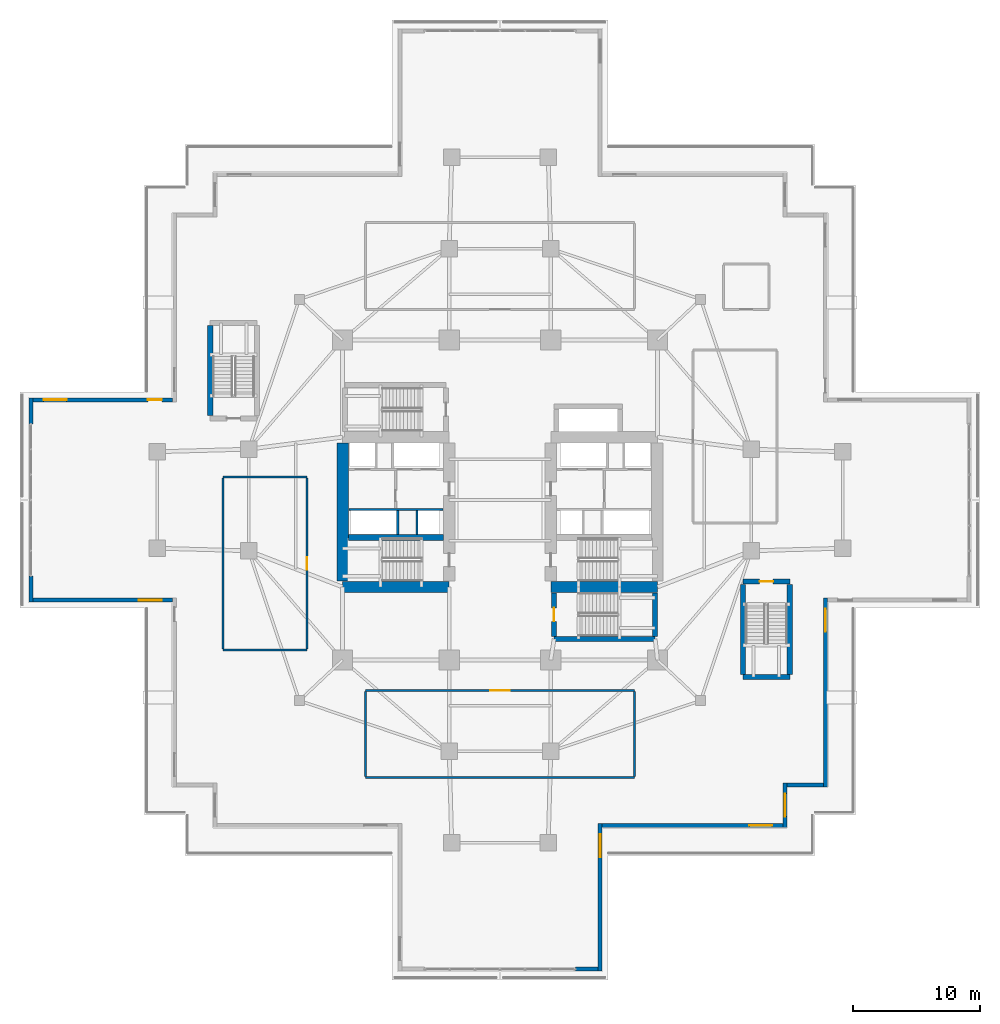
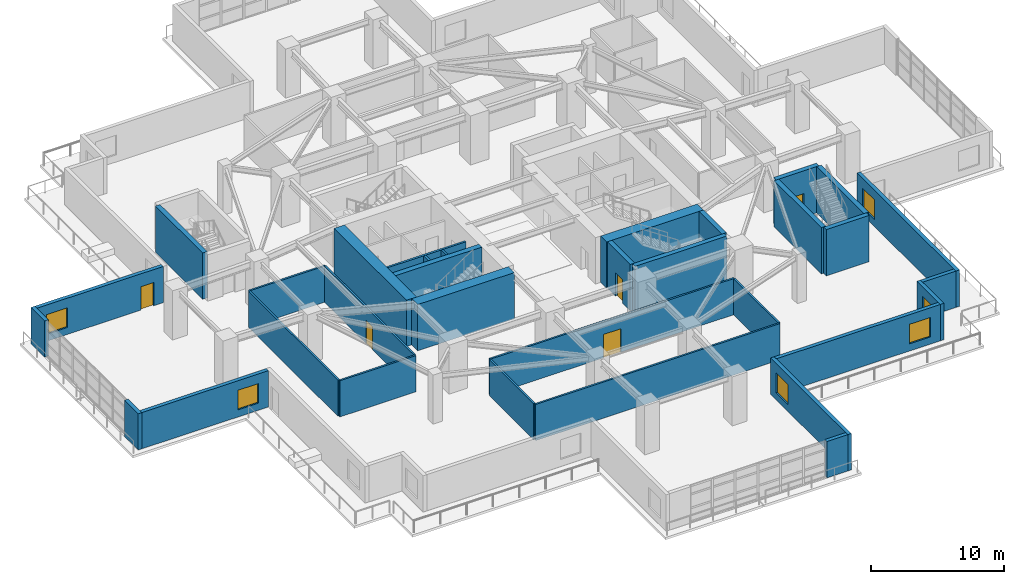
# One storey, part 15 of 24: 33 walls, 6 windows, 5 doors, 11 openings.
"""IFC4 building model written with IfcOpenShell, lengths in metres."""

from ifc_helpers import new_model, si_unit, direction, frame, frame_2d, origin, place, context, subcontext, project, spatial, rectangle, extrude, material, layer, layer_set, type_object, element, fill, save


model = new_model("IFC4")

# Units and contexts
model_context = context("Model", 3, precision=1e-05, world=origin(), true_north=direction((0.0, 1.0)))
body_context = subcontext(model_context, "Body", "Model", "MODEL_VIEW")
ifc_project = project(units=[si_unit("LENGTHUNIT", "METRE"), si_unit("AREAUNIT", "SQUARE_METRE"), si_unit("VOLUMEUNIT", "CUBIC_METRE"), si_unit("PLANEANGLEUNIT", "RADIAN"), si_unit("MASSUNIT", "GRAM", prefix="KILO")], contexts=[model_context])

# Site, building, storey
site_placement = place(None, origin())
site = spatial("IfcSite", under=ifc_project, at=site_placement, CompositionType="ELEMENT")
building_placement = place(site_placement, origin())
building = spatial("IfcBuilding", under=site, at=building_placement, Name="Qingluan Cross Belvedere", CompositionType="ELEMENT")
storey_placement = place(building_placement, frame((0.0, 0.0, 14.699951171875)))
storey = spatial("IfcBuildingStorey", under=building, at=storey_placement, Name="L04", CompositionType="ELEMENT", Elevation=14.699951171875)

# Walls
ifc_material_1 = material(Name="Concrete C50", Category="concrete")
ifc_layer_1 = layer(ifc_material_1, 0.449951171875, Name="CoreShearWall_450")
ifc_layer_set_1 = layer_set([ifc_layer_1], Name="Concrete C50")
wall_type_1 = type_object("IfcWallType", Name="CoreShearWall_450", PredefinedType="SHEAR", material=ifc_layer_set_1)
wall_1_placement = place(storey_placement, frame((-11.945068359375, -2.9599609375, 0.0), z_axis=(0.0, 0.0, 1.0), x_axis=(1.0, 0.0, 0.0)))
element("IfcWall", 1, at=wall_1_placement, inside=storey, type_object=wall_type_1, Name="Split core W shear wall L04-M", PredefinedType="SHEAR", context=body_context, shape_type="SweptSolid", body=[
    extrude(rectangle(XDim=7.489990234375, YDim=0.449951171875, at=frame_2d((3.7451171875, 0.0))), origin(), (0.0, 0.0, 1.0), 4.25),
])
wall_2_placement = place(storey_placement, frame((4.260009765625, -10.93994140625, 0.0), z_axis=(0.0, 0.0, 1.0), x_axis=(1.0, 0.0, 0.0)))
element("IfcWall", 2, at=wall_2_placement, inside=storey, type_object=wall_type_1, Name="Stair ST4 structural wall S L04", PredefinedType="SHEAR", context=body_context, shape_type="SweptSolid", body=[
    extrude(rectangle(XDim=7.9599609375, YDim=0.39990234375, at=frame_2d((3.97998046875, 0.0))), origin(), (0.0, 0.0, 1.0), 4.25),
])

# Wall, opening, door
wall_3_placement = place(storey_placement, frame((4.260009765625, -10.735107421875, 0.0), z_axis=(0.0, 0.0, 1.0), x_axis=(0.0, 1.0, 0.0)))
wall_3 = element("IfcWall", 3, at=wall_3_placement, inside=storey, type_object=wall_type_1, Name="Stair ST4 structural wall W L04", PredefinedType="SHEAR", context=body_context, shape_type="SweptSolid", body=[
    extrude(rectangle(XDim=3.43017578125, YDim=0.39990234375, at=frame_2d((1.715087890625, 0.0))), origin(), (0.0, 0.0, 1.0), 4.25),
])
opening_1_placement = place(wall_3_placement, frame((1.18505859375, 0.0, 0.0)))
opening_1 = element("IfcOpeningElement", 4, at=opening_1_placement, cuts=wall_3, Name="Opening FD-B11", PredefinedType="OPENING", context=body_context, shape_type="SweptSolid", body=[
    extrude(rectangle(XDim=1.050048828125, YDim=2.14990234375, at=frame_2d((0.52490234375, 1.074951171875))), frame((0.0, 0.2099609375, 0.0), z_axis=(0.0, -1.0, 0.0), x_axis=(1.0, 0.0, 0.0)), (0.0, 0.0, 1.0), 0.419921875),
])
ifc_material_2 = material(Name="Steel Class B smoke-seal fire door", Category="steel")
door_type_1 = type_object("IfcDoorType", Name="StairLobbyFireDoor_FDB", OperationType="NOTDEFINED", PredefinedType="DOOR", material=ifc_material_2)
door_1_placement = place(opening_1_placement, origin())
door_1 = element("IfcDoor", 5, at=door_1_placement, inside=storey, type_object=door_type_1, Name="Smoke-proof stair ST4 fire door L04", OperationType="SINGLE_SWING_LEFT", OverallHeight=2.14990234375, OverallWidth=1.050048828125, PredefinedType="DOOR", context=body_context, shape_type="SweptSolid", body=[
    extrude(rectangle(XDim=1.050048828125, YDim=2.14990234375, at=frame_2d((0.52490234375, 1.074951171875))), frame((0.0, 0.02490234375, 0.0), z_axis=(0.0, -1.0, 0.0), x_axis=(1.0, 0.0, 0.0)), (0.0, 0.0, 1.0), 0.050048828125),
])
fill(opening_1, door_1)

# Walls
wall_4_placement = place(storey_placement, frame((12.219970703125, -10.735107421875, 0.0), z_axis=(0.0, 0.0, 1.0), x_axis=(0.0, 1.0, 0.0)))
element("IfcWall", 6, at=wall_4_placement, inside=storey, type_object=wall_type_1, Name="Stair ST4 structural wall E L04", PredefinedType="SHEAR", context=body_context, shape_type="SweptSolid", body=[
    extrude(rectangle(XDim=3.43017578125, YDim=0.39990234375, at=frame_2d((1.715087890625, 0.0))), origin(), (0.0, 0.0, 1.0), 4.25),
])
wall_5_placement = place(storey_placement, frame((-22.820068359375, 6.635009765625, 0.0), z_axis=(0.0, 0.0, 1.0), x_axis=(0.0, 1.0, 0.0)))
element("IfcWall", 7, at=wall_5_placement, inside=storey, type_object=wall_type_1, Name="Stair ST5 structural wall W L04", PredefinedType="SHEAR", context=body_context, shape_type="SweptSolid", body=[
    extrude(rectangle(XDim=7.110107421875, YDim=0.39990234375, at=frame_2d((3.55517578125, 0.0))), origin(), (0.0, 0.0, 1.0), 4.25),
])

# Wall, opening, door
wall_6_placement = place(storey_placement, frame((19.1201171875, -6.429931640625, 0.0), z_axis=(0.0, 0.0, 1.0), x_axis=(1.0, 0.0, 0.0)))
wall_6 = element("IfcWall", 8, at=wall_6_placement, inside=storey, type_object=wall_type_1, Name="Stair ST6 structural wall N L04", PredefinedType="SHEAR", context=body_context, shape_type="SweptSolid", body=[
    extrude(rectangle(XDim=3.699951171875, YDim=0.39990234375, at=frame_2d((1.85009765625, 0.0))), origin(), (0.0, 0.0, 1.0), 4.25),
])
opening_2_placement = place(wall_6_placement, frame((1.330078125, 0.0, 0.0)))
opening_2 = element("IfcOpeningElement", 9, at=opening_2_placement, cuts=wall_6, Name="Opening FD-B11", PredefinedType="OPENING", context=body_context, shape_type="SweptSolid", body=[
    extrude(rectangle(XDim=1.050048828125, YDim=2.14990234375, at=frame_2d((0.52490234375, 1.074951171875))), frame((0.0, 0.2099609375, 0.0), z_axis=(0.0, -1.0, 0.0), x_axis=(1.0, 0.0, 0.0)), (0.0, 0.0, 1.0), 0.419921875),
])
door_2_placement = place(opening_2_placement, origin())
door_2 = element("IfcDoor", 10, at=door_2_placement, inside=storey, type_object=door_type_1, Name="Podium stair ST6 smoke-proof fire door L04", OperationType="SINGLE_SWING_LEFT", OverallHeight=2.14990234375, OverallWidth=1.050048828125, PredefinedType="DOOR", context=body_context, shape_type="SweptSolid", body=[
    extrude(rectangle(XDim=1.050048828125, YDim=2.14990234375, at=frame_2d((0.52490234375, 1.074951171875))), frame((0.0, 0.02490234375, 0.0), z_axis=(0.0, -1.0, 0.0), x_axis=(1.0, 0.0, 0.0)), (0.0, 0.0, 1.0), 0.050048828125),
])
fill(opening_2, door_2)

# Walls
wall_7_placement = place(storey_placement, frame((19.1201171875, -13.949951171875, 0.0), z_axis=(0.0, 0.0, 1.0), x_axis=(1.0, 0.0, 0.0)))
element("IfcWall", 11, at=wall_7_placement, inside=storey, type_object=wall_type_1, Name="Stair ST6 structural wall S L04", PredefinedType="SHEAR", context=body_context, shape_type="SweptSolid", body=[
    extrude(rectangle(XDim=3.699951171875, YDim=0.39990234375, at=frame_2d((1.85009765625, 0.0))), origin(), (0.0, 0.0, 1.0), 4.25),
])
for number, where, z_axis, x_axis, name in (
    (12, (19.1201171875, -13.7451171875, 0.0), (0.0, 0.0, 1.0), (0.0, 1.0, 0.0), "Stair ST6 structural wall W L04"),
    (13, (22.820068359375, -13.7451171875, 0.0), (0.0, 0.0, 1.0), (0.0, 1.0, 0.0), "Stair ST6 structural wall E L04"),
):
    element("IfcWall", number, at=place(storey_placement, frame(where, z_axis=z_axis, x_axis=x_axis)), inside=storey, type_object=wall_type_1, Name=name, PredefinedType="SHEAR", context=body_context, shape_type="SweptSolid", body=[
        extrude(rectangle(XDim=7.110107421875, YDim=0.39990234375, at=frame_2d((3.55517578125, 0.0))), origin(), (0.0, 0.0, 1.0), 4.25),
    ])
ifc_material_3 = material(Name="Concrete C70", Category="concrete")
ifc_layer_2 = layer(ifc_material_3, 0.89990234375, Name="CoreShearWall_900")
ifc_layer_set_2 = layer_set([ifc_layer_2], Name="Concrete C70")
wall_type_2 = type_object("IfcWallType", Name="CoreShearWall_900", PredefinedType="SHEAR", material=ifc_layer_set_2)
wall_8_placement = place(storey_placement, frame((-12.39990234375, -6.85009765625, 0.0), z_axis=(0.0, 0.0, 1.0), x_axis=(1.0, 0.0, 0.0)))
element("IfcWall", 14, at=wall_8_placement, inside=storey, type_object=wall_type_2, Name="Split core W shear wall L04-S", PredefinedType="SHEAR", context=body_context, shape_type="SweptSolid", body=[
    extrude(rectangle(XDim=8.39990234375, YDim=0.89990234375, at=frame_2d((4.199951171875, 0.0))), origin(), (0.0, 0.0, 1.0), 4.25),
])
wall_9_placement = place(storey_placement, frame((-12.39990234375, -6.39501953125, 0.0), z_axis=(0.0, 0.0, 1.0), x_axis=(0.0, 1.0, 0.0)))
element("IfcWall", 15, at=wall_9_placement, inside=storey, type_object=wall_type_2, Name="Split core W shear wall L04-W", PredefinedType="SHEAR", context=body_context, shape_type="SweptSolid", body=[
    extrude(rectangle(XDim=10.89013671875, YDim=0.89990234375, at=frame_2d((5.445068359375, 0.0))), origin(), (0.0, 0.0, 1.0), 4.25),
])
wall_10_placement = place(storey_placement, frame((4.0, -6.85009765625, 0.0), z_axis=(0.0, 0.0, 1.0), x_axis=(1.0, 0.0, 0.0)))
element("IfcWall", 16, at=wall_10_placement, inside=storey, type_object=wall_type_2, Name="Split core E shear wall L04-S", PredefinedType="SHEAR", context=body_context, shape_type="SweptSolid", body=[
    extrude(rectangle(XDim=8.39990234375, YDim=0.89990234375, at=frame_2d((4.199951171875, 0.0))), origin(), (0.0, 0.0, 1.0), 4.25),
])
ifc_material_4 = material(Name="Gypsum plasterboard on steel stud acoustic partition", Category="steel")
ifc_layer_3 = layer(ifc_material_4, 0.159912109375, Name="CorridorPartition_160")
ifc_layer_set_3 = layer_set([ifc_layer_3], Name="Gypsum plasterboard on steel stud acoustic partition")
wall_type_3 = type_object("IfcWallType", Name="CorridorPartition_160", PredefinedType="PARTITIONING", material=ifc_layer_set_3)
wall_11_placement = place(storey_placement, frame((-10.60009765625, -21.85009765625, 0.0), z_axis=(0.0, 0.0, 1.0), x_axis=(1.0, 0.0, 0.0)))
element("IfcWall", 17, at=wall_11_placement, inside=storey, type_object=wall_type_3, Name="Partition L04:pod_s:S", PredefinedType="PARTITIONING", context=body_context, shape_type="SweptSolid", body=[
    extrude(rectangle(XDim=21.2001953125, YDim=0.159912109375, at=frame_2d((10.60009765625, 0.0))), origin(), (0.0, 0.0, 1.0), 3.320068359375),
])

# Wall, opening, door
wall_12_placement = place(storey_placement, frame((-10.60009765625, -15.0, 0.0), z_axis=(0.0, 0.0, 1.0), x_axis=(1.0, 0.0, 0.0)))
wall_12 = element("IfcWall", 18, at=wall_12_placement, inside=storey, type_object=wall_type_3, Name="Partition L04:pod_s:N", PredefinedType="PARTITIONING", context=body_context, shape_type="SweptSolid", body=[
    extrude(rectangle(XDim=21.2001953125, YDim=0.159912109375, at=frame_2d((10.60009765625, 0.0))), origin(), (0.0, 0.0, 1.0), 3.320068359375),
])
opening_3_placement = place(wall_12_placement, frame((9.85009765625, 0.0, 0.0)))
opening_3 = element("IfcOpeningElement", 19, at=opening_3_placement, cuts=wall_12, Name="Opening FD-A15", PredefinedType="OPENING", context=body_context, shape_type="SweptSolid", body=[
    extrude(rectangle(XDim=1.5, YDim=2.14990234375, at=frame_2d((0.75, 1.074951171875))), frame((0.0, 0.08984375, 0.0), z_axis=(0.0, -1.0, 0.0), x_axis=(1.0, 0.0, 0.0)), (0.0, 0.0, 1.0), 0.179931640625),
])
ifc_material_5 = material(Name="Insulated steel Class A double fire door", Category="steel")
door_type_2 = type_object("IfcDoorType", Name="PlantDoubleFireDoor_FDA", OperationType="DOUBLE_DOOR_SINGLE_SWING", PredefinedType="DOOR", material=ifc_material_5)
door_3_placement = place(opening_3_placement, origin())
door_3 = element("IfcDoor", 20, at=door_3_placement, inside=storey, type_object=door_type_2, Name="Tea garden lounge South L04 door", OperationType="DOUBLE_DOOR_SINGLE_SWING", OverallHeight=2.14990234375, OverallWidth=1.5, PredefinedType="DOOR", context=body_context, shape_type="SweptSolid", body=[
    extrude(rectangle(XDim=1.5, YDim=2.14990234375, at=frame_2d((0.75, 1.074951171875))), frame((0.0, 0.02490234375, 0.0), z_axis=(0.0, -1.0, 0.0), x_axis=(1.0, 0.0, 0.0)), (0.0, 0.0, 1.0), 0.050048828125),
])
fill(opening_3, door_3)

# Walls
for number, where, z_axis, x_axis, name in (
    (21, (-10.60009765625, -21.764892578125, 0.0), (0.0, 0.0, 1.0), (0.0, 1.0, 0.0), "Partition L04:pod_s:W"),
    (22, (10.60009765625, -21.764892578125, 0.0), (0.0, 0.0, 1.0), (0.0, 1.0, 0.0), "Partition L04:pod_s:E"),
):
    element("IfcWall", number, at=place(storey_placement, frame(where, z_axis=z_axis, x_axis=x_axis)), inside=storey, type_object=wall_type_3, Name=name, PredefinedType="PARTITIONING", context=body_context, shape_type="SweptSolid", body=[
        extrude(rectangle(XDim=6.679931640625, YDim=0.159912109375, at=frame_2d((3.33984375, 0.0))), origin(), (0.0, 0.0, 1.0), 3.320068359375),
    ])
for number, where, z_axis, x_axis, name in (
    (23, (-21.800048828125, -11.800048828125, 0.0), (0.0, 0.0, 1.0), (1.0, 0.0, 0.0), "Partition L04:pod_w:S"),
    (24, (-21.800048828125, 1.800048828125, 0.0), (0.0, 0.0, 1.0), (1.0, 0.0, 0.0), "Partition L04:pod_w:N"),
):
    element("IfcWall", number, at=place(storey_placement, frame(where, z_axis=z_axis, x_axis=x_axis)), inside=storey, type_object=wall_type_3, Name=name, PredefinedType="PARTITIONING", context=body_context, shape_type="SweptSolid", body=[
        extrude(rectangle(XDim=6.60009765625, YDim=0.159912109375, at=frame_2d((3.300048828125, 0.0))), origin(), (0.0, 0.0, 1.0), 3.320068359375),
    ])
wall_13_placement = place(storey_placement, frame((-21.800048828125, -11.715087890625, 0.0), z_axis=(0.0, 0.0, 1.0), x_axis=(0.0, 1.0, 0.0)))
element("IfcWall", 25, at=wall_13_placement, inside=storey, type_object=wall_type_3, Name="Partition L04:pod_w:W", PredefinedType="PARTITIONING", context=body_context, shape_type="SweptSolid", body=[
    extrude(rectangle(XDim=13.43017578125, YDim=0.159912109375, at=frame_2d((6.715087890625, 0.0))), origin(), (0.0, 0.0, 1.0), 3.320068359375),
])

# Wall, opening, door
wall_14_placement = place(storey_placement, frame((-15.199951171875, -11.715087890625, 0.0), z_axis=(0.0, 0.0, 1.0), x_axis=(0.0, 1.0, 0.0)))
wall_14 = element("IfcWall", 26, at=wall_14_placement, inside=storey, type_object=wall_type_3, Name="Partition L04:pod_w:E", PredefinedType="PARTITIONING", context=body_context, shape_type="SweptSolid", body=[
    extrude(rectangle(XDim=13.43017578125, YDim=0.159912109375, at=frame_2d((6.715087890625, 0.0))), origin(), (0.0, 0.0, 1.0), 3.320068359375),
])
opening_4_placement = place(wall_14_placement, frame((6.235107421875, 0.0, 0.0)))
opening_4 = element("IfcOpeningElement", 27, at=opening_4_placement, cuts=wall_14, Name="Opening GD-10", PredefinedType="OPENING", context=body_context, shape_type="SweptSolid", body=[
    extrude(rectangle(XDim=0.9599609375, YDim=2.14990234375, at=frame_2d((0.47998046875, 1.074951171875))), frame((0.0, 0.08984375, 0.0), z_axis=(0.0, -1.0, 0.0), x_axis=(1.0, 0.0, 0.0)), (0.0, 0.0, 1.0), 0.179931640625),
])
ifc_material_6 = material(Name="Timber oak fire-rated acoustic guestroom door", Category="wood")
door_type_3 = type_object("IfcDoorType", Name="GuestEntryDoor_FD60", OperationType="NOTDEFINED", PredefinedType="DOOR", material=ifc_material_6)
door_4_placement = place(opening_4_placement, origin())
door_4 = element("IfcDoor", 28, at=door_4_placement, inside=storey, type_object=door_type_3, Name="Restaurant production kitchen West L04 door", OperationType="SINGLE_SWING_LEFT", OverallHeight=2.14990234375, OverallWidth=0.9599609375, PredefinedType="DOOR", context=body_context, shape_type="SweptSolid", body=[
    extrude(rectangle(XDim=0.9599609375, YDim=2.14990234375, at=frame_2d((0.47998046875, 1.074951171875))), frame((0.0, 0.02490234375, 0.0), z_axis=(0.0, -1.0, 0.0), x_axis=(1.0, 0.0, 0.0)), (0.0, 0.0, 1.0), 0.050048828125),
])
fill(opening_4, door_4)

# Wall, opening, window
ifc_material_7 = material(Name="Precast concrete C45", Category="concrete")
ifc_layer_4 = layer(ifc_material_7, 0.320068359375, Name="PrecastPodiumWall_320")
ifc_layer_set_4 = layer_set([ifc_layer_4], Name="Precast concrete C45")
wall_type_4 = type_object("IfcWallType", Name="PrecastPodiumWall_320", PredefinedType="STANDARD", material=ifc_layer_set_4)
wall_15_placement = place(storey_placement, frame((22.280029296875, -25.639892578125, 0.0), z_axis=(0.0, 0.0, 1.0), x_axis=(-1.0, 0.0, 0.0)))
wall_15 = element("IfcWall", 29, at=wall_15_placement, inside=storey, type_object=wall_type_4, Name="Podium precast facade wall L04-S1", PredefinedType="STANDARD", context=body_context, shape_type="SweptSolid", body=[
    extrude(rectangle(XDim=14.22998046875, YDim=0.320068359375, at=frame_2d((7.114990234375, 0.0))), origin(), (0.0, 0.0, 1.0), 3.330078125),
])
opening_5_placement = place(wall_15_placement, frame((0.85009765625, 0.0, 0.64990234375)))
opening_5 = element("IfcOpeningElement", 30, at=opening_5_placement, cuts=wall_15, Name="Opening W-06", PredefinedType="OPENING", context=body_context, shape_type="SweptSolid", body=[
    extrude(rectangle(XDim=1.800048828125, YDim=1.800048828125, at=frame_2d((0.89990234375, 0.89990234375))), frame((0.0, 0.169921875, 0.0), z_axis=(0.0, -1.0, 0.0), x_axis=(1.0, 0.0, 0.0)), (0.0, 0.0, 1.0), 0.340087890625),
])
ifc_material_8 = material(Name="Thermally broken triple Low-E glass in aluminium frame", Category="aluminium")
window_type = type_object("IfcWindowType", Name="PodiumGalleryWin_1800x1800", PartitioningType="SINGLE_PANEL", PredefinedType="WINDOW", material=ifc_material_8)
window_1_placement = place(opening_5_placement, origin())
window_1 = element("IfcWindow", 31, at=window_1_placement, inside=storey, type_object=window_type, Name="Podium gallery window L04-S1", OverallHeight=1.800048828125, OverallWidth=1.800048828125, PartitioningType="SINGLE_PANEL", PredefinedType="WINDOW", context=body_context, shape_type="SweptSolid", body=[
    extrude(rectangle(XDim=1.800048828125, YDim=1.800048828125, at=frame_2d((0.89990234375, 0.89990234375))), frame((0.0, 0.030029296875, 0.0), z_axis=(0.0, -1.0, 0.0), x_axis=(1.0, 0.0, 0.0)), (0.0, 0.0, 1.0), 0.06005859375),
])
fill(opening_5, window_1)

wall_16_placement = place(storey_placement, frame((7.889892578125, -25.47998046875, 0.0), z_axis=(0.0, 0.0, 1.0), x_axis=(0.0, -1.0, 0.0)))
wall_16 = element("IfcWall", 32, at=wall_16_placement, inside=storey, type_object=wall_type_4, Name="Podium precast facade wall L04-S2", PredefinedType="STANDARD", context=body_context, shape_type="SweptSolid", body=[
    extrude(rectangle(XDim=11.6201171875, YDim=0.320068359375, at=frame_2d((5.81005859375, 0.0))), origin(), (0.0, 0.0, 1.0), 3.330078125),
])
opening_6_placement = place(wall_16_placement, frame((0.85009765625, 0.0, 0.64990234375)))
opening_6 = element("IfcOpeningElement", 33, at=opening_6_placement, cuts=wall_16, Name="Opening W-06", PredefinedType="OPENING", context=body_context, shape_type="SweptSolid", body=[
    extrude(rectangle(XDim=1.800048828125, YDim=1.800048828125, at=frame_2d((0.89990234375, 0.89990234375))), frame((0.0, 0.169921875, 0.0), z_axis=(0.0, -1.0, 0.0), x_axis=(1.0, 0.0, 0.0)), (0.0, 0.0, 1.0), 0.340087890625),
])
window_2_placement = place(opening_6_placement, origin())
window_2 = element("IfcWindow", 34, at=window_2_placement, inside=storey, type_object=window_type, Name="Podium gallery window L04-S2", OverallHeight=1.800048828125, OverallWidth=1.800048828125, PartitioningType="SINGLE_PANEL", PredefinedType="WINDOW", context=body_context, shape_type="SweptSolid", body=[
    extrude(rectangle(XDim=1.800048828125, YDim=1.800048828125, at=frame_2d((0.89990234375, 0.89990234375))), frame((0.0, 0.030029296875, 0.0), z_axis=(0.0, -1.0, 0.0), x_axis=(1.0, 0.0, 0.0)), (0.0, 0.0, 1.0), 0.06005859375),
])
fill(opening_6, window_2)

# Wall
wall_17_placement = place(storey_placement, frame((7.72998046875, -36.93994140625, 0.0), z_axis=(0.0, 0.0, 1.0), x_axis=(-1.0, 0.0, 0.0)))
element("IfcWall", 35, at=wall_17_placement, inside=storey, type_object=wall_type_4, Name="Podium portal pier L04-P1JA", PredefinedType="STANDARD", context=body_context, shape_type="SweptSolid", body=[
    extrude(rectangle(XDim=1.800048828125, YDim=0.320068359375, at=frame_2d((0.89990234375, 0.0))), origin(), (0.0, 0.0, 1.0), 3.330078125),
])

# Wall, opening, window
wall_18_placement = place(storey_placement, frame((-25.800048828125, -7.889892578125, 0.0), z_axis=(0.0, 0.0, 1.0), x_axis=(-1.0, 0.0, 0.0)))
wall_18 = element("IfcWall", 36, at=wall_18_placement, inside=storey, type_object=wall_type_4, Name="Podium precast facade wall L04-S10", PredefinedType="STANDARD", context=body_context, shape_type="SweptSolid", body=[
    extrude(rectangle(XDim=10.97998046875, YDim=0.320068359375, at=frame_2d((5.489990234375, 0.0))), origin(), (0.0, 0.0, 1.0), 3.330078125),
])
opening_7_placement = place(wall_18_placement, frame((0.85009765625, 0.0, 0.64990234375)))
opening_7 = element("IfcOpeningElement", 37, at=opening_7_placement, cuts=wall_18, Name="Opening W-06", PredefinedType="OPENING", context=body_context, shape_type="SweptSolid", body=[
    extrude(rectangle(XDim=1.800048828125, YDim=1.800048828125, at=frame_2d((0.89990234375, 0.89990234375))), frame((0.0, 0.169921875, 0.0), z_axis=(0.0, -1.0, 0.0), x_axis=(1.0, 0.0, 0.0)), (0.0, 0.0, 1.0), 0.340087890625),
])
window_3_placement = place(opening_7_placement, origin())
window_3 = element("IfcWindow", 38, at=window_3_placement, inside=storey, type_object=window_type, Name="Podium gallery window L04-S10", OverallHeight=1.800048828125, OverallWidth=1.800048828125, PartitioningType="SINGLE_PANEL", PredefinedType="WINDOW", context=body_context, shape_type="SweptSolid", body=[
    extrude(rectangle(XDim=1.800048828125, YDim=1.800048828125, at=frame_2d((0.89990234375, 0.89990234375))), frame((0.0, 0.030029296875, 0.0), z_axis=(0.0, -1.0, 0.0), x_axis=(1.0, 0.0, 0.0)), (0.0, 0.0, 1.0), 0.06005859375),
])
fill(opening_7, window_3)

# Walls
for number, where, z_axis, x_axis, name in (
    (39, (-36.93994140625, -8.050048828125, 0.0), (0.0, 0.0, 1.0), (0.0, 1.0, 0.0), "Podium portal pier L04-P2JA"),
    (40, (-36.93994140625, 6.0, 0.0), (0.0, 0.0, 1.0), (0.0, 1.0, 0.0), "Podium portal pier L04-P2JB"),
):
    element("IfcWall", number, at=place(storey_placement, frame(where, z_axis=z_axis, x_axis=x_axis)), inside=storey, type_object=wall_type_4, Name=name, PredefinedType="STANDARD", context=body_context, shape_type="SweptSolid", body=[
        extrude(rectangle(XDim=2.050048828125, YDim=0.320068359375, at=frame_2d((1.02490234375, 0.0))), origin(), (0.0, 0.0, 1.0), 3.330078125),
    ])

# Wall, openings, window, door
wall_19_placement = place(storey_placement, frame((-36.780029296875, 7.889892578125, 0.0), z_axis=(0.0, 0.0, 1.0), x_axis=(1.0, 0.0, 0.0)))
wall_19 = element("IfcWall", 41, at=wall_19_placement, inside=storey, type_object=wall_type_4, Name="Podium precast facade wall L04-S13", PredefinedType="STANDARD", context=body_context, shape_type="SweptSolid", body=[
    extrude(rectangle(XDim=10.97998046875, YDim=0.320068359375, at=frame_2d((5.489990234375, 0.0))), origin(), (0.0, 0.0, 1.0), 3.330078125),
])
opening_8_placement = place(wall_19_placement, frame((0.85009765625, 0.0, 0.64990234375)))
opening_8 = element("IfcOpeningElement", 42, at=opening_8_placement, cuts=wall_19, Name="Opening W-06", PredefinedType="OPENING", context=body_context, shape_type="SweptSolid", body=[
    extrude(rectangle(XDim=1.800048828125, YDim=1.800048828125, at=frame_2d((0.89990234375, 0.89990234375))), frame((0.0, 0.169921875, 0.0), z_axis=(0.0, -1.0, 0.0), x_axis=(1.0, 0.0, 0.0)), (0.0, 0.0, 1.0), 0.340087890625),
])
opening_9_placement = place(wall_19_placement, frame((9.050048828125, 0.0, 0.0)))
opening_9 = element("IfcOpeningElement", 43, at=opening_9_placement, cuts=wall_19, Name="Opening TD-11", PredefinedType="OPENING", context=body_context, shape_type="SweptSolid", body=[
    extrude(rectangle(XDim=1.10009765625, YDim=2.14990234375, at=frame_2d((0.550048828125, 1.074951171875))), frame((0.0, 0.169921875, 0.0), z_axis=(0.0, -1.0, 0.0), x_axis=(1.0, 0.0, 0.0)), (0.0, 0.0, 1.0), 0.340087890625),
])
window_4_placement = place(opening_8_placement, origin())
window_4 = element("IfcWindow", 44, at=window_4_placement, inside=storey, type_object=window_type, Name="Podium gallery window L04-S13", OverallHeight=1.800048828125, OverallWidth=1.800048828125, PartitioningType="SINGLE_PANEL", PredefinedType="WINDOW", context=body_context, shape_type="SweptSolid", body=[
    extrude(rectangle(XDim=1.800048828125, YDim=1.800048828125, at=frame_2d((0.89990234375, 0.89990234375))), frame((0.0, 0.030029296875, 0.0), z_axis=(0.0, -1.0, 0.0), x_axis=(1.0, 0.0, 0.0)), (0.0, 0.0, 1.0), 0.06005859375),
])
fill(opening_8, window_4)
ifc_material_9 = material(Name="Thermally broken aluminium and Low-E glass", Category="aluminium")
door_type_4 = type_object("IfcDoorType", Name="TerraceGlazedDoor_1100", OperationType="NOTDEFINED", PredefinedType="DOOR", material=ifc_material_9)
door_5_placement = place(opening_9_placement, origin())
door_5 = element("IfcDoor", 45, at=door_5_placement, inside=storey, type_object=door_type_4, Name="Cascade terrace door L04-2", OperationType="SINGLE_SWING_LEFT", OverallHeight=2.14990234375, OverallWidth=1.10009765625, PredefinedType="DOOR", context=body_context, shape_type="SweptSolid", body=[
    extrude(rectangle(XDim=1.10009765625, YDim=2.14990234375, at=frame_2d((0.550048828125, 1.074951171875))), frame((0.0, 0.02490234375, 0.0), z_axis=(0.0, -1.0, 0.0), x_axis=(1.0, 0.0, 0.0)), (0.0, 0.0, 1.0), 0.050048828125),
])
fill(opening_9, door_5)

# Wall, opening, window
wall_20_placement = place(storey_placement, frame((25.639892578125, -7.72998046875, 0.0), z_axis=(0.0, 0.0, 1.0), x_axis=(0.0, -1.0, 0.0)))
wall_20 = element("IfcWall", 46, at=wall_20_placement, inside=storey, type_object=wall_type_4, Name="Podium precast facade wall L04-S30", PredefinedType="STANDARD", context=body_context, shape_type="SweptSolid", body=[
    extrude(rectangle(XDim=14.8701171875, YDim=0.320068359375, at=frame_2d((7.43505859375, 0.0))), origin(), (0.0, 0.0, 1.0), 3.330078125),
])
opening_10_placement = place(wall_20_placement, frame((0.85009765625, 0.0, 0.64990234375)))
opening_10 = element("IfcOpeningElement", 47, at=opening_10_placement, cuts=wall_20, Name="Opening W-06", PredefinedType="OPENING", context=body_context, shape_type="SweptSolid", body=[
    extrude(rectangle(XDim=1.800048828125, YDim=1.800048828125, at=frame_2d((0.89990234375, 0.89990234375))), frame((0.0, 0.169921875, 0.0), z_axis=(0.0, -1.0, 0.0), x_axis=(1.0, 0.0, 0.0)), (0.0, 0.0, 1.0), 0.340087890625),
])
window_5_placement = place(opening_10_placement, origin())
window_5 = element("IfcWindow", 48, at=window_5_placement, inside=storey, type_object=window_type, Name="Podium gallery window L04-S30", OverallHeight=1.800048828125, OverallWidth=1.800048828125, PartitioningType="SINGLE_PANEL", PredefinedType="WINDOW", context=body_context, shape_type="SweptSolid", body=[
    extrude(rectangle(XDim=1.800048828125, YDim=1.800048828125, at=frame_2d((0.89990234375, 0.89990234375))), frame((0.0, 0.030029296875, 0.0), z_axis=(0.0, -1.0, 0.0), x_axis=(1.0, 0.0, 0.0)), (0.0, 0.0, 1.0), 0.06005859375),
])
fill(opening_10, window_5)

# Wall
wall_21_placement = place(storey_placement, frame((25.47998046875, -22.43994140625, 0.0), z_axis=(0.0, 0.0, 1.0), x_axis=(-1.0, 0.0, 0.0)))
element("IfcWall", 49, at=wall_21_placement, inside=storey, type_object=wall_type_4, Name="Podium precast facade wall L04-S31", PredefinedType="STANDARD", context=body_context, shape_type="SweptSolid", body=[
    extrude(rectangle(XDim=2.8798828125, YDim=0.320068359375, at=frame_2d((1.43994140625, 0.0))), origin(), (0.0, 0.0, 1.0), 3.330078125),
])

# Wall, opening, window
wall_22_placement = place(storey_placement, frame((22.43994140625, -22.280029296875, 0.0), z_axis=(0.0, 0.0, 1.0), x_axis=(0.0, -1.0, 0.0)))
wall_22 = element("IfcWall", 50, at=wall_22_placement, inside=storey, type_object=wall_type_4, Name="Podium precast facade wall L04-S32", PredefinedType="STANDARD", context=body_context, shape_type="SweptSolid", body=[
    extrude(rectangle(XDim=3.52001953125, YDim=0.320068359375, at=frame_2d((1.760009765625, 0.0))), origin(), (0.0, 0.0, 1.0), 3.330078125),
])
opening_11_placement = place(wall_22_placement, frame((0.85009765625, 0.0, 0.64990234375)))
opening_11 = element("IfcOpeningElement", 51, at=opening_11_placement, cuts=wall_22, Name="Opening W-06", PredefinedType="OPENING", context=body_context, shape_type="SweptSolid", body=[
    extrude(rectangle(XDim=1.800048828125, YDim=1.800048828125, at=frame_2d((0.89990234375, 0.89990234375))), frame((0.0, 0.169921875, 0.0), z_axis=(0.0, -1.0, 0.0), x_axis=(1.0, 0.0, 0.0)), (0.0, 0.0, 1.0), 0.340087890625),
])
window_6_placement = place(opening_11_placement, origin())
window_6 = element("IfcWindow", 52, at=window_6_placement, inside=storey, type_object=window_type, Name="Podium gallery window L04-S32", OverallHeight=1.800048828125, OverallWidth=1.800048828125, PartitioningType="SINGLE_PANEL", PredefinedType="WINDOW", context=body_context, shape_type="SweptSolid", body=[
    extrude(rectangle(XDim=1.800048828125, YDim=1.800048828125, at=frame_2d((0.89990234375, 0.89990234375))), frame((0.0, 0.030029296875, 0.0), z_axis=(0.0, -1.0, 0.0), x_axis=(1.0, 0.0, 0.0)), (0.0, 0.0, 1.0), 0.06005859375),
])
fill(opening_11, window_6)

# Walls
ifc_material_10 = material(Name="Concrete C40", Category="concrete")
ifc_layer_5 = layer(ifc_material_10, 0.219970703125, Name="ShaftEnclosureWall_250")
ifc_layer_set_5 = layer_set([ifc_layer_5], Name="Concrete C40")
wall_type_5 = type_object("IfcWallType", Name="ShaftEnclosureWall_250", PredefinedType="SOLIDWALL", material=ifc_layer_set_5)
wall_23_placement = place(storey_placement, frame((-11.89990234375, -0.75, 0.0), z_axis=(0.0, 0.0, 1.0), x_axis=(1.0, 0.0, 0.0)))
element("IfcWall", 53, at=wall_23_placement, inside=storey, type_object=wall_type_5, Name="Core-W mid hoistway wall L04", PredefinedType="SOLIDWALL", context=body_context, shape_type="SweptSolid", body=[
    extrude(rectangle(XDim=7.419921875, YDim=0.179931640625, at=frame_2d((3.7099609375, 0.0))), origin(), (0.0, 0.0, 1.0), 3.320068359375),
])
for number, where, z_axis, x_axis, name in (
    (54, (-8.06005859375, -2.72998046875, 0.0), (0.0, 0.0, 1.0), (0.0, 1.0, 0.0), "Hoistway enclosure divider LP6E L04"),
    (55, (-6.5400390625, -2.72998046875, 0.0), (0.0, 0.0, 1.0), (0.0, 1.0, 0.0), "Hoistway enclosure divider LP8W L04"),
):
    element("IfcWall", number, at=place(storey_placement, frame(where, z_axis=z_axis, x_axis=x_axis)), inside=storey, type_object=wall_type_5, Name=name, PredefinedType="SOLIDWALL", context=body_context, shape_type="SweptSolid", body=[
        extrude(rectangle(XDim=1.889892578125, YDim=0.179931640625, at=frame_2d((0.94482421875, 0.0))), origin(), (0.0, 0.0, 1.0), 3.320068359375),
    ])

save(model, "model.ifc")
